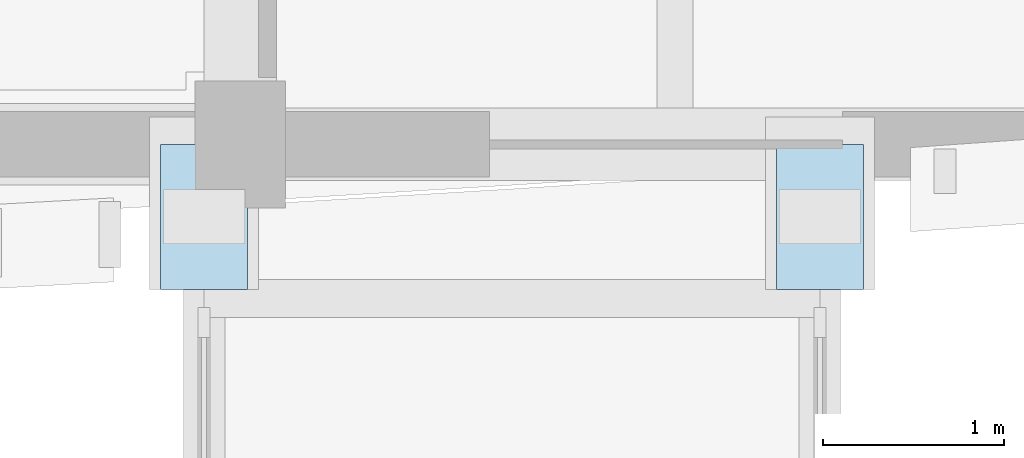
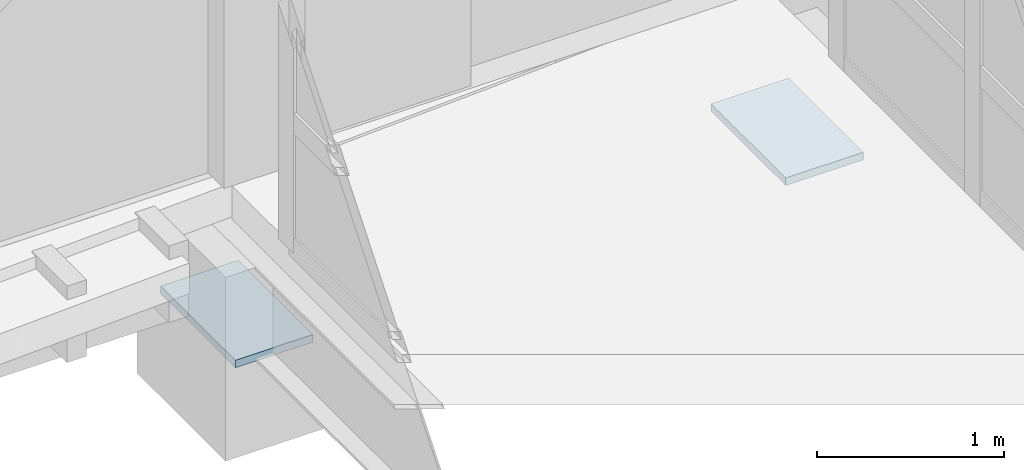
# One storey, part 63 of 101: 2 plates.
"""IFC4 building model written with IfcOpenShell, lengths in metres."""

from ifc_helpers import new_model, si_unit, direction, frame, origin, origin_2d, place, context, subcontext, project, spatial, rectangle, extrude, material, layer, layer_set, type_object, element, save


model = new_model("IFC4")

# Units and contexts
model_context = context("Model", 3, precision=1e-05, world=origin(), true_north=direction((0.0, 1.0)))
body_context = subcontext(model_context, "Body", "Model", "MODEL_VIEW")
ifc_project = project(units=[si_unit("LENGTHUNIT", "METRE"), si_unit("AREAUNIT", "SQUARE_METRE"), si_unit("VOLUMEUNIT", "CUBIC_METRE"), si_unit("PLANEANGLEUNIT", "RADIAN"), si_unit("MASSUNIT", "GRAM", prefix="KILO")], contexts=[model_context])

# Site, building, storey
site_placement = place(None, origin())
site = spatial("IfcSite", under=ifc_project, at=site_placement, CompositionType="ELEMENT")
building_placement = place(site_placement, origin())
building = spatial("IfcBuilding", under=site, at=building_placement, Name="Dornvale Research Institute", CompositionType="ELEMENT")
storey_placement = place(building_placement, frame((0.0, 0.0, 10.199951171875)))
storey = spatial("IfcBuildingStorey", under=building, at=storey_placement, Name="L02", CompositionType="ELEMENT", Elevation=10.199951171875)

# Plates
ifc_material = material(Name="Steel ASTM A572 Grade 50", Category="steel")
ifc_layer = layer(ifc_material, 0.050048828125)
ifc_layer_set = layer_set([ifc_layer], Name="Steel ASTM A572 Grade 50")
plate_type = type_object("IfcPlateType", Name="SheetPlate_Bearing_50", PredefinedType="SHEET", material=ifc_layer_set)
for number, where, z_axis, x_axis, name in (
    (1, (41.199951171875, 98.60009765625, -0.83203125), (0.0, 0.0, 1.0), (1.0, 0.0, 0.0), "Bridge 800mm sliding seat sole plate ND-07"),
    (2, (44.60009765625, 98.60009765625, -0.83203125), (0.0, 0.0, 1.0), (1.0, 0.0, 0.0), "Bridge 800mm sliding seat sole plate ND-08"),
):
    element("IfcPlate", number, at=place(storey_placement, frame(where, z_axis=z_axis, x_axis=x_axis)), inside=storey, type_object=plate_type, Name=name, PredefinedType="SHEET", context=body_context, shape_type="SweptSolid", body=[
        extrude(rectangle(XDim=0.47998046875, YDim=0.800048828125, at=origin_2d()), origin(), (0.0, 0.0, 1.0), 0.050048828125),
    ])

save(model, "model.ifc")
